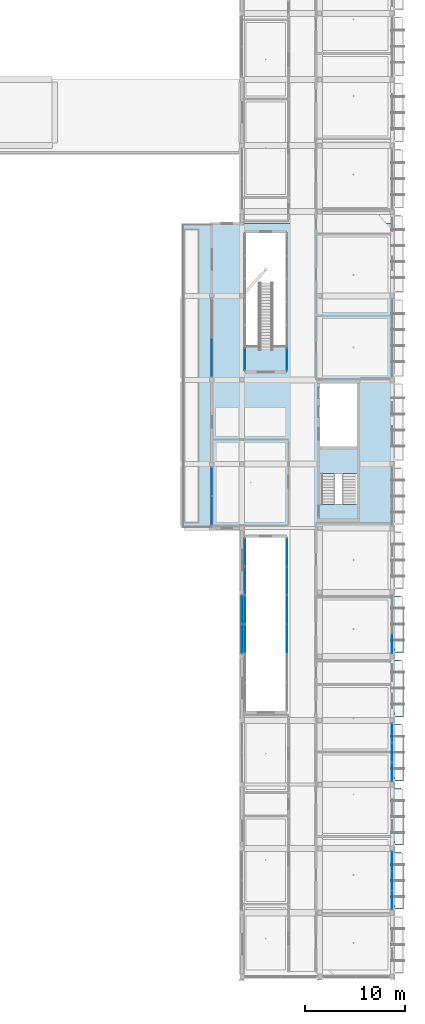
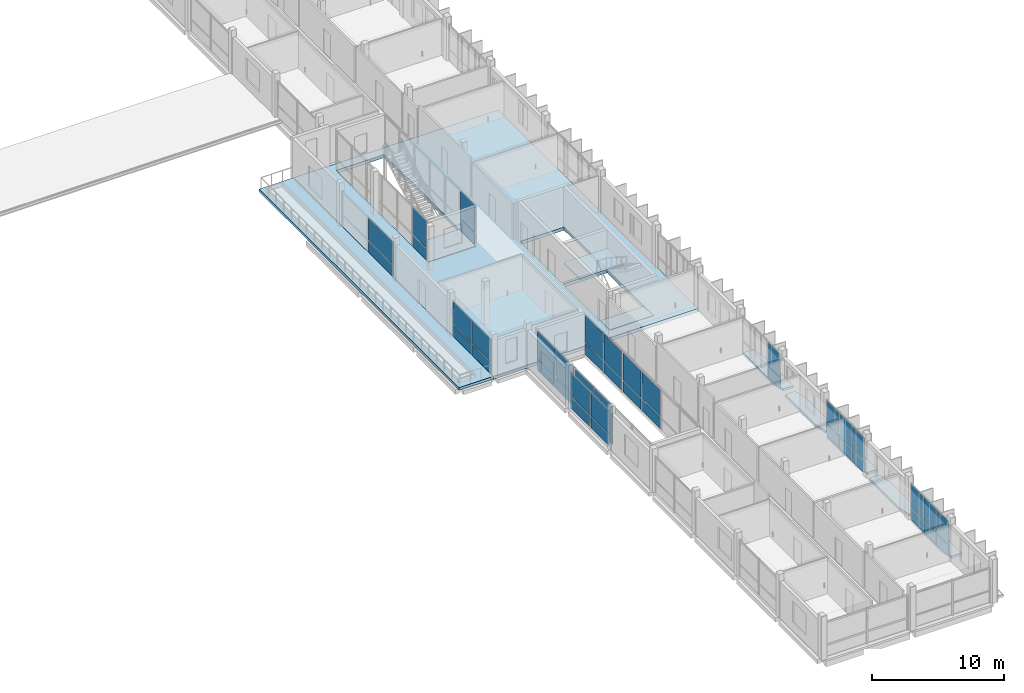
# One storey, part 43 of 86: 44 plates, 10 slabs, 13 elements without a shape of their own.
"""IFC4 building model written with IfcOpenShell, lengths in metres."""

from ifc_helpers import new_model, si_unit, derived_unit, direction, frame, origin, origin_2d, place, context, subcontext, project, spatial, polyline, rectangle, outline, extrude, material, layer, layer_set, type_object, element, aggregate, save


model = new_model("IFC4")

# Units and contexts
model_context = context("Model", 3, precision=1e-05, world=origin(), true_north=direction((0.0, 1.0)))
body_context = subcontext(model_context, "Body", "Model", "MODEL_VIEW")
ifc_project = project(units=[si_unit("LENGTHUNIT", "METRE"), si_unit("AREAUNIT", "SQUARE_METRE"), si_unit("VOLUMEUNIT", "CUBIC_METRE"), si_unit("PLANEANGLEUNIT", "RADIAN"), si_unit("MASSUNIT", "GRAM", prefix="KILO"), derived_unit("THERMALTRANSMITTANCEUNIT", [(si_unit("POWERUNIT", "WATT"), 1), (si_unit("LENGTHUNIT", "METRE"), -2), (si_unit("THERMODYNAMICTEMPERATUREUNIT", "KELVIN"), -1)])], contexts=[model_context])

# Site, building, storey
site_placement = place(None, origin())
site = spatial("IfcSite", under=ifc_project, at=site_placement, CompositionType="ELEMENT")
building_placement = place(site_placement, origin())
building = spatial("IfcBuilding", under=site, at=building_placement, Name="Braskholm Square Health Centre", CompositionType="ELEMENT")
storey_placement = place(building_placement, frame((0.0, 0.0, 13.5)))
storey = spatial("IfcBuildingStorey", under=building, at=storey_placement, Name="L04", CompositionType="ELEMENT", Elevation=13.5)

# Curtain wall, plates
ifc_material_1 = material(Name="Low-E triple insulating glass (VLT 0.64)", Category="glass")
curtain_wall_type_1 = type_object("IfcCurtainWallType", Name="UnitisedCurtainWall6200x3650", PredefinedType="NOTDEFINED", material=ifc_material_1)
curtain_wall_1_placement = place(storey_placement, origin())
curtain_wall_1 = element("IfcCurtainWall", 1, at=curtain_wall_1_placement, inside=storey, type_object=curtain_wall_type_1, Name="East Outer unitised curtain wall CW-L04-0068", PredefinedType="NOTDEFINED")
ifc_material_2 = material(Name="Architectural bronze anodised aluminium", Category="aluminium")
plate_type_1 = type_object("IfcPlateType", Name="CurtainPanelSpandrel1850x1020", PredefinedType="CURTAIN_PANEL", material=ifc_material_2)
plate_1_placement = place(storey_placement, frame((163.800048828125, 11.8466796875, 0.050048828125), z_axis=(0.0, 0.0, 1.0), x_axis=(0.0, 1.0, 0.0)))
plate_1 = element("IfcPlate", 2, at=plate_1_placement, type_object=plate_type_1, Name="CW-L04-0068 spandrel panel 1", PredefinedType="CURTAIN_PANEL", context=body_context, shape_type="SweptSolid", body=[
    extrude(rectangle(XDim=1.836181640625, YDim=0.035888671875, at=origin_2d()), origin(), (0.0, 0.0, 1.0), 1.02001953125),
])
plate_2_placement = place(storey_placement, frame((163.800048828125, 13.800048828125, 0.050048828125), z_axis=(0.0, 0.0, 1.0), x_axis=(0.0, 1.0, 0.0)))
plate_2 = element("IfcPlate", 3, at=plate_2_placement, type_object=plate_type_1, Name="CW-L04-0068 spandrel panel 2", PredefinedType="CURTAIN_PANEL", context=body_context, shape_type="SweptSolid", body=[
    extrude(rectangle(XDim=1.836181640625, YDim=0.035888671875, at=origin_2d()), origin(), (0.0, 0.0, 1.0), 1.02001953125),
])
plate_3_placement = place(storey_placement, frame((163.800048828125, 15.75341796875, 0.050048828125), z_axis=(0.0, 0.0, 1.0), x_axis=(0.0, 1.0, 0.0)))
plate_3 = element("IfcPlate", 4, at=plate_3_placement, type_object=plate_type_1, Name="CW-L04-0068 spandrel panel 3", PredefinedType="CURTAIN_PANEL", context=body_context, shape_type="SweptSolid", body=[
    extrude(rectangle(XDim=1.836181640625, YDim=0.035888671875, at=origin_2d()), origin(), (0.0, 0.0, 1.0), 1.02001953125),
])

curtain_wall_2_placement = place(storey_placement, origin())
curtain_wall_2 = element("IfcCurtainWall", 5, at=curtain_wall_2_placement, inside=storey, type_object=curtain_wall_type_1, Name="East Outer unitised curtain wall CW-L04-0069", PredefinedType="NOTDEFINED")
plate_4_placement = place(storey_placement, frame((163.800048828125, 24.646728515625, 0.050048828125), z_axis=(0.0, 0.0, 1.0), x_axis=(0.0, 1.0, 0.0)))
plate_4 = element("IfcPlate", 6, at=plate_4_placement, type_object=plate_type_1, Name="CW-L04-0069 spandrel panel 1", PredefinedType="CURTAIN_PANEL", context=body_context, shape_type="SweptSolid", body=[
    extrude(rectangle(XDim=1.836181640625, YDim=0.035888671875, at=origin_2d()), origin(), (0.0, 0.0, 1.0), 1.02001953125),
])
plate_5_placement = place(storey_placement, frame((163.800048828125, 26.60009765625, 0.050048828125), z_axis=(0.0, 0.0, 1.0), x_axis=(0.0, 1.0, 0.0)))
plate_5 = element("IfcPlate", 7, at=plate_5_placement, type_object=plate_type_1, Name="CW-L04-0069 spandrel panel 2", PredefinedType="CURTAIN_PANEL", context=body_context, shape_type="SweptSolid", body=[
    extrude(rectangle(XDim=1.836181640625, YDim=0.035888671875, at=origin_2d()), origin(), (0.0, 0.0, 1.0), 1.02001953125),
])
plate_6_placement = place(storey_placement, frame((163.800048828125, 28.55322265625, 0.050048828125), z_axis=(0.0, 0.0, 1.0), x_axis=(0.0, 1.0, 0.0)))
plate_6 = element("IfcPlate", 8, at=plate_6_placement, type_object=plate_type_1, Name="CW-L04-0069 spandrel panel 3", PredefinedType="CURTAIN_PANEL", context=body_context, shape_type="SweptSolid", body=[
    extrude(rectangle(XDim=1.836181640625, YDim=0.035888671875, at=origin_2d()), origin(), (0.0, 0.0, 1.0), 1.02001953125),
])

# Curtain wall, plate
curtain_wall_3_placement = place(storey_placement, origin())
curtain_wall_3 = element("IfcCurtainWall", 9, at=curtain_wall_3_placement, inside=storey, type_object=curtain_wall_type_1, Name="East Outer unitised curtain wall CW-L04-0070", PredefinedType="NOTDEFINED")
plate_7_placement = place(storey_placement, frame((163.800048828125, 37.44677734375, 0.050048828125), z_axis=(0.0, 0.0, 1.0), x_axis=(0.0, 1.0, 0.0)))
plate_7 = element("IfcPlate", 10, at=plate_7_placement, type_object=plate_type_1, Name="CW-L04-0070 spandrel panel 1", PredefinedType="CURTAIN_PANEL", context=body_context, shape_type="SweptSolid", body=[
    extrude(rectangle(XDim=1.836181640625, YDim=0.035888671875, at=origin_2d()), origin(), (0.0, 0.0, 1.0), 1.02001953125),
])

curtain_wall_type_2 = type_object("IfcCurtainWallType", Name="UnitisedCurtainWall4800x3800", PredefinedType="NOTDEFINED", material=ifc_material_1)
curtain_wall_4_placement = place(storey_placement, origin())
curtain_wall_4 = element("IfcCurtainWall", 11, at=curtain_wall_4_placement, inside=storey, type_object=curtain_wall_type_2, Name="EC2 Court W unitised curtain wall CW-L04-0369", PredefinedType="NOTDEFINED")
plate_type_2 = type_object("IfcPlateType", Name="CurtainPanelSpandrel2150x1020", PredefinedType="CURTAIN_PANEL", material=ifc_material_2)
plate_8_placement = place(storey_placement, frame((149.10009765625, 65.884033203125, 0.050048828125), z_axis=(0.0, 0.0, 1.0), x_axis=(0.0, 1.0, 0.0)))
plate_8 = element("IfcPlate", 12, at=plate_8_placement, type_object=plate_type_2, Name="CW-L04-0369 spandrel panel 1", PredefinedType="CURTAIN_PANEL", context=body_context, shape_type="SweptSolid", body=[
    extrude(rectangle(XDim=2.125244140625, YDim=0.035888671875, at=origin_2d()), origin(), (0.0, 0.0, 1.0), 1.02001953125),
])

curtain_wall_5_placement = place(storey_placement, origin())
curtain_wall_5 = element("IfcCurtainWall", 13, at=curtain_wall_5_placement, inside=storey, type_object=curtain_wall_type_2, Name="EC2 Court E unitised curtain wall CW-L04-0370", PredefinedType="NOTDEFINED")
plate_9_placement = place(storey_placement, frame((153.300048828125, 65.884033203125, 0.050048828125), z_axis=(0.0, 0.0, 1.0), x_axis=(0.0, -1.0, 0.0)))
plate_9 = element("IfcPlate", 14, at=plate_9_placement, type_object=plate_type_2, Name="CW-L04-0370 spandrel panel 2", PredefinedType="CURTAIN_PANEL", context=body_context, shape_type="SweptSolid", body=[
    extrude(rectangle(XDim=2.125244140625, YDim=0.035888671875, at=origin_2d()), origin(), (0.0, 0.0, 1.0), 1.02001953125),
])

# Curtain wall, plates
curtain_wall_6_placement = place(storey_placement, origin())
curtain_wall_6 = element("IfcCurtainWall", 15, at=curtain_wall_6_placement, inside=storey, type_object=curtain_wall_type_1, Name="East Valley unitised curtain wall CW-L04-0131", PredefinedType="NOTDEFINED")
plate_type_3 = type_object("IfcPlateType", Name="CurtainPanelSpandrel2750x1020", PredefinedType="CURTAIN_PANEL", material=ifc_material_2)
plate_10_placement = place(storey_placement, frame((148.800048828125, 40.8623046875, 0.050048828125), z_axis=(0.0, 0.0, 1.0), x_axis=(0.0, -1.0, 0.0)))
plate_10 = element("IfcPlate", 16, at=plate_10_placement, type_object=plate_type_3, Name="CW-L04-0131 spandrel panel 1", PredefinedType="CURTAIN_PANEL", context=body_context, shape_type="SweptSolid", body=[
    extrude(rectangle(XDim=2.782470703125, YDim=0.035888671875, at=origin_2d()), origin(), (0.0, 0.0, 1.0), 1.02001953125),
])
plate_11_placement = place(storey_placement, frame((148.800048828125, 37.937744140625, 0.050048828125), z_axis=(0.0, 0.0, 1.0), x_axis=(0.0, -1.0, 0.0)))
plate_11 = element("IfcPlate", 17, at=plate_11_placement, type_object=plate_type_3, Name="CW-L04-0131 spandrel panel 2", PredefinedType="CURTAIN_PANEL", context=body_context, shape_type="SweptSolid", body=[
    extrude(rectangle(XDim=2.782470703125, YDim=0.035888671875, at=origin_2d()), origin(), (0.0, 0.0, 1.0), 1.02001953125),
])

curtain_wall_7_placement = place(storey_placement, origin())
curtain_wall_7 = element("IfcCurtainWall", 18, at=curtain_wall_7_placement, inside=storey, type_object=curtain_wall_type_1, Name="East Valley unitised curtain wall CW-L04-0132", PredefinedType="NOTDEFINED")
plate_12_placement = place(storey_placement, frame((145.800048828125, 53.662109375, 0.050048828125), z_axis=(0.0, 0.0, 1.0), x_axis=(0.0, -1.0, 0.0)))
plate_12 = element("IfcPlate", 19, at=plate_12_placement, type_object=plate_type_3, Name="CW-L04-0132 spandrel panel 1", PredefinedType="CURTAIN_PANEL", context=body_context, shape_type="SweptSolid", body=[
    extrude(rectangle(XDim=2.782470703125, YDim=0.035888671875, at=origin_2d()), origin(), (0.0, 0.0, 1.0), 1.02001953125),
])
plate_13_placement = place(storey_placement, frame((145.800048828125, 50.73779296875, 0.050048828125), z_axis=(0.0, 0.0, 1.0), x_axis=(0.0, -1.0, 0.0)))
plate_13 = element("IfcPlate", 20, at=plate_13_placement, type_object=plate_type_3, Name="CW-L04-0132 spandrel panel 2", PredefinedType="CURTAIN_PANEL", context=body_context, shape_type="SweptSolid", body=[
    extrude(rectangle(XDim=2.782470703125, YDim=0.035888671875, at=origin_2d()), origin(), (0.0, 0.0, 1.0), 1.02001953125),
])

curtain_wall_type_3 = type_object("IfcCurtainWallType", Name="UnitisedCurtainWall6200x3800", PredefinedType="NOTDEFINED", material=ifc_material_1)
curtain_wall_8_placement = place(storey_placement, origin())
curtain_wall_8 = element("IfcCurtainWall", 21, at=curtain_wall_8_placement, inside=storey, type_object=curtain_wall_type_3, Name="EC1 Court W unitised curtain wall CW-L04-0341", PredefinedType="NOTDEFINED")
plate_14_placement = place(storey_placement, frame((149.10009765625, 37.95361328125, 0.050048828125), z_axis=(0.0, 0.0, 1.0), x_axis=(0.0, 1.0, 0.0)))
plate_14 = element("IfcPlate", 22, at=plate_14_placement, type_object=plate_type_3, Name="CW-L04-0341 spandrel panel 1", PredefinedType="CURTAIN_PANEL", context=body_context, shape_type="SweptSolid", body=[
    extrude(rectangle(XDim=2.752197265625, YDim=0.035888671875, at=origin_2d()), origin(), (0.0, 0.0, 1.0), 1.02001953125),
])
plate_15_placement = place(storey_placement, frame((149.10009765625, 40.846435546875, 0.050048828125), z_axis=(0.0, 0.0, 1.0), x_axis=(0.0, 1.0, 0.0)))
plate_15 = element("IfcPlate", 23, at=plate_15_placement, type_object=plate_type_3, Name="CW-L04-0341 spandrel panel 2", PredefinedType="CURTAIN_PANEL", context=body_context, shape_type="SweptSolid", body=[
    extrude(rectangle(XDim=2.752197265625, YDim=0.035888671875, at=origin_2d()), origin(), (0.0, 0.0, 1.0), 1.02001953125),
])

curtain_wall_9_placement = place(storey_placement, origin())
curtain_wall_9 = element("IfcCurtainWall", 24, at=curtain_wall_9_placement, inside=storey, type_object=curtain_wall_type_3, Name="EC1 Court E unitised curtain wall CW-L04-0342", PredefinedType="NOTDEFINED")
plate_16_placement = place(storey_placement, frame((153.300048828125, 40.846435546875, 0.050048828125), z_axis=(0.0, 0.0, 1.0), x_axis=(0.0, -1.0, 0.0)))
plate_16 = element("IfcPlate", 25, at=plate_16_placement, type_object=plate_type_3, Name="CW-L04-0342 spandrel panel 1", PredefinedType="CURTAIN_PANEL", context=body_context, shape_type="SweptSolid", body=[
    extrude(rectangle(XDim=2.752197265625, YDim=0.035888671875, at=origin_2d()), origin(), (0.0, 0.0, 1.0), 1.02001953125),
])
plate_17_placement = place(storey_placement, frame((153.300048828125, 37.95361328125, 0.050048828125), z_axis=(0.0, 0.0, 1.0), x_axis=(0.0, -1.0, 0.0)))
plate_17 = element("IfcPlate", 26, at=plate_17_placement, type_object=plate_type_3, Name="CW-L04-0342 spandrel panel 2", PredefinedType="CURTAIN_PANEL", context=body_context, shape_type="SweptSolid", body=[
    extrude(rectangle(XDim=2.752197265625, YDim=0.035888671875, at=origin_2d()), origin(), (0.0, 0.0, 1.0), 1.02001953125),
])

curtain_wall_type_4 = type_object("IfcCurtainWallType", Name="UnitisedCurtainWall5400x3800", PredefinedType="NOTDEFINED", material=ifc_material_1)
curtain_wall_10_placement = place(storey_placement, origin())
curtain_wall_10 = element("IfcCurtainWall", 27, at=curtain_wall_10_placement, inside=storey, type_object=curtain_wall_type_4, Name="EC1 Court W unitised curtain wall CW-L04-0343", PredefinedType="NOTDEFINED")
plate_18_placement = place(storey_placement, frame((149.10009765625, 43.78564453125, 0.050048828125), z_axis=(0.0, 0.0, 1.0), x_axis=(0.0, 1.0, 0.0)))
plate_18 = element("IfcPlate", 28, at=plate_18_placement, type_object=plate_type_3, Name="CW-L04-0343 spandrel panel 1", PredefinedType="CURTAIN_PANEL", context=body_context, shape_type="SweptSolid", body=[
    extrude(rectangle(XDim=2.689208984375, YDim=0.035888671875, at=origin_2d()), origin(), (0.0, 0.0, 1.0), 1.02001953125),
])
plate_19_placement = place(storey_placement, frame((149.10009765625, 46.6123046875, 0.050048828125), z_axis=(0.0, 0.0, 1.0), x_axis=(0.0, 1.0, 0.0)))
plate_19 = element("IfcPlate", 29, at=plate_19_placement, type_object=plate_type_3, Name="CW-L04-0343 spandrel panel 2", PredefinedType="CURTAIN_PANEL", context=body_context, shape_type="SweptSolid", body=[
    extrude(rectangle(XDim=2.689208984375, YDim=0.035888671875, at=origin_2d()), origin(), (0.0, 0.0, 1.0), 1.02001953125),
])

curtain_wall_11_placement = place(storey_placement, origin())
curtain_wall_11 = element("IfcCurtainWall", 30, at=curtain_wall_11_placement, inside=storey, type_object=curtain_wall_type_4, Name="EC1 Court E unitised curtain wall CW-L04-0344", PredefinedType="NOTDEFINED")
plate_20_placement = place(storey_placement, frame((153.300048828125, 46.6123046875, 0.050048828125), z_axis=(0.0, 0.0, 1.0), x_axis=(0.0, -1.0, 0.0)))
plate_20 = element("IfcPlate", 31, at=plate_20_placement, type_object=plate_type_3, Name="CW-L04-0344 spandrel panel 1", PredefinedType="CURTAIN_PANEL", context=body_context, shape_type="SweptSolid", body=[
    extrude(rectangle(XDim=2.689208984375, YDim=0.035888671875, at=origin_2d()), origin(), (0.0, 0.0, 1.0), 1.02001953125),
])
plate_21_placement = place(storey_placement, frame((153.300048828125, 43.78564453125, 0.050048828125), z_axis=(0.0, 0.0, 1.0), x_axis=(0.0, -1.0, 0.0)))
plate_21 = element("IfcPlate", 32, at=plate_21_placement, type_object=plate_type_3, Name="CW-L04-0344 spandrel panel 2", PredefinedType="CURTAIN_PANEL", context=body_context, shape_type="SweptSolid", body=[
    extrude(rectangle(XDim=2.689208984375, YDim=0.035888671875, at=origin_2d()), origin(), (0.0, 0.0, 1.0), 1.02001953125),
])

# Curtain wall, plate
curtain_wall_12_placement = place(storey_placement, origin())
curtain_wall_12 = element("IfcCurtainWall", 33, at=curtain_wall_12_placement, inside=storey, type_object=curtain_wall_type_1, Name="East Valley unitised curtain wall CW-L04-0133", PredefinedType="NOTDEFINED")
plate_type_4 = type_object("IfcPlateType", Name="CurtainPanelSpandrel3150x1020", PredefinedType="CURTAIN_PANEL", material=ifc_material_2)
plate_22_placement = place(storey_placement, frame((145.800048828125, 66.043701171875, 0.050048828125), z_axis=(0.0, 0.0, 1.0), x_axis=(0.0, -1.0, 0.0)))
plate_22 = element("IfcPlate", 34, at=plate_22_placement, type_object=plate_type_4, Name="CW-L04-0133 spandrel panel 2", PredefinedType="CURTAIN_PANEL", context=body_context, shape_type="SweptSolid", body=[
    extrude(rectangle(XDim=3.722412109375, YDim=0.035888671875, at=origin_2d()), origin(), (0.0, 0.0, 1.0), 1.02001953125),
])

# Plate
plate_type_5 = type_object("IfcPlateType", Name="CurtainPanelVision1850x2120", PredefinedType="CURTAIN_PANEL", material=ifc_material_1)
plate_23_placement = place(storey_placement, frame((163.800048828125, 11.8466796875, 1.169921875), z_axis=(0.0, 0.0, 1.0), x_axis=(0.0, 1.0, 0.0)))
plate_23 = element("IfcPlate", 35, at=plate_23_placement, type_object=plate_type_5, Name="CW-L04-0068 vision glass panel 1", PredefinedType="CURTAIN_PANEL", context=body_context, shape_type="SweptSolid", body=[
    extrude(rectangle(XDim=1.836181640625, YDim=0.035888671875, at=origin_2d()), origin(), (0.0, 0.0, 1.0), 2.139892578125),
])

plate_24_placement = place(storey_placement, frame((163.800048828125, 13.800048828125, 1.169921875), z_axis=(0.0, 0.0, 1.0), x_axis=(0.0, 1.0, 0.0)))
plate_24 = element("IfcPlate", 36, at=plate_24_placement, type_object=plate_type_5, Name="CW-L04-0068 vision glass panel 2", PredefinedType="CURTAIN_PANEL", context=body_context, shape_type="SweptSolid", body=[
    extrude(rectangle(XDim=1.836181640625, YDim=0.035888671875, at=origin_2d()), origin(), (0.0, 0.0, 1.0), 2.139892578125),
])

plate_25_placement = place(storey_placement, frame((163.800048828125, 15.75341796875, 1.169921875), z_axis=(0.0, 0.0, 1.0), x_axis=(0.0, 1.0, 0.0)))
plate_25 = element("IfcPlate", 37, at=plate_25_placement, type_object=plate_type_5, Name="CW-L04-0068 vision glass panel 3", PredefinedType="CURTAIN_PANEL", context=body_context, shape_type="SweptSolid", body=[
    extrude(rectangle(XDim=1.836181640625, YDim=0.035888671875, at=origin_2d()), origin(), (0.0, 0.0, 1.0), 2.139892578125),
])

aggregate(curtain_wall_1, [plate_1, plate_23, plate_2, plate_24, plate_3, plate_25])

plate_26_placement = place(storey_placement, frame((163.800048828125, 24.646728515625, 1.169921875), z_axis=(0.0, 0.0, 1.0), x_axis=(0.0, 1.0, 0.0)))
plate_26 = element("IfcPlate", 38, at=plate_26_placement, type_object=plate_type_5, Name="CW-L04-0069 vision glass panel 1", PredefinedType="CURTAIN_PANEL", context=body_context, shape_type="SweptSolid", body=[
    extrude(rectangle(XDim=1.836181640625, YDim=0.035888671875, at=origin_2d()), origin(), (0.0, 0.0, 1.0), 2.139892578125),
])

plate_27_placement = place(storey_placement, frame((163.800048828125, 26.60009765625, 1.169921875), z_axis=(0.0, 0.0, 1.0), x_axis=(0.0, 1.0, 0.0)))
plate_27 = element("IfcPlate", 39, at=plate_27_placement, type_object=plate_type_5, Name="CW-L04-0069 vision glass panel 2", PredefinedType="CURTAIN_PANEL", context=body_context, shape_type="SweptSolid", body=[
    extrude(rectangle(XDim=1.836181640625, YDim=0.035888671875, at=origin_2d()), origin(), (0.0, 0.0, 1.0), 2.139892578125),
])

plate_28_placement = place(storey_placement, frame((163.800048828125, 28.55322265625, 1.169921875), z_axis=(0.0, 0.0, 1.0), x_axis=(0.0, 1.0, 0.0)))
plate_28 = element("IfcPlate", 40, at=plate_28_placement, type_object=plate_type_5, Name="CW-L04-0069 vision glass panel 3", PredefinedType="CURTAIN_PANEL", context=body_context, shape_type="SweptSolid", body=[
    extrude(rectangle(XDim=1.836181640625, YDim=0.035888671875, at=origin_2d()), origin(), (0.0, 0.0, 1.0), 2.139892578125),
])

aggregate(curtain_wall_2, [plate_4, plate_26, plate_5, plate_27, plate_6, plate_28])

plate_29_placement = place(storey_placement, frame((163.800048828125, 37.44677734375, 1.169921875), z_axis=(0.0, 0.0, 1.0), x_axis=(0.0, 1.0, 0.0)))
plate_29 = element("IfcPlate", 41, at=plate_29_placement, type_object=plate_type_5, Name="CW-L04-0070 vision glass panel 1", PredefinedType="CURTAIN_PANEL", context=body_context, shape_type="SweptSolid", body=[
    extrude(rectangle(XDim=1.836181640625, YDim=0.035888671875, at=origin_2d()), origin(), (0.0, 0.0, 1.0), 2.139892578125),
])

aggregate(curtain_wall_3, [plate_7, plate_29])

plate_type_6 = type_object("IfcPlateType", Name="CurtainPanelVision2150x2520", PredefinedType="CURTAIN_PANEL", material=ifc_material_1)
plate_30_placement = place(storey_placement, frame((149.10009765625, 65.884033203125, 1.169921875), z_axis=(0.0, 0.0, 1.0), x_axis=(0.0, 1.0, 0.0)))
plate_30 = element("IfcPlate", 42, at=plate_30_placement, type_object=plate_type_6, Name="CW-L04-0369 vision glass panel 1", PredefinedType="CURTAIN_PANEL", context=body_context, shape_type="SweptSolid", body=[
    extrude(rectangle(XDim=2.125244140625, YDim=0.035888671875, at=origin_2d()), origin(), (0.0, 0.0, 1.0), 2.489990234375),
])

aggregate(curtain_wall_4, [plate_8, plate_30])

plate_31_placement = place(storey_placement, frame((153.300048828125, 65.884033203125, 1.169921875), z_axis=(0.0, 0.0, 1.0), x_axis=(0.0, -1.0, 0.0)))
plate_31 = element("IfcPlate", 43, at=plate_31_placement, type_object=plate_type_6, Name="CW-L04-0370 vision glass panel 2", PredefinedType="CURTAIN_PANEL", context=body_context, shape_type="SweptSolid", body=[
    extrude(rectangle(XDim=2.125244140625, YDim=0.035888671875, at=origin_2d()), origin(), (0.0, 0.0, 1.0), 2.489990234375),
])

aggregate(curtain_wall_5, [plate_9, plate_31])

plate_type_7 = type_object("IfcPlateType", Name="CurtainPanelVision2750x2120", PredefinedType="CURTAIN_PANEL", material=ifc_material_1)
plate_32_placement = place(storey_placement, frame((148.800048828125, 40.8623046875, 1.169921875), z_axis=(0.0, 0.0, 1.0), x_axis=(0.0, -1.0, 0.0)))
plate_32 = element("IfcPlate", 44, at=plate_32_placement, type_object=plate_type_7, Name="CW-L04-0131 vision glass panel 1", PredefinedType="CURTAIN_PANEL", context=body_context, shape_type="SweptSolid", body=[
    extrude(rectangle(XDim=2.782470703125, YDim=0.035888671875, at=origin_2d()), origin(), (0.0, 0.0, 1.0), 2.110107421875),
])

plate_33_placement = place(storey_placement, frame((148.800048828125, 37.937744140625, 1.169921875), z_axis=(0.0, 0.0, 1.0), x_axis=(0.0, -1.0, 0.0)))
plate_33 = element("IfcPlate", 45, at=plate_33_placement, type_object=plate_type_7, Name="CW-L04-0131 vision glass panel 2", PredefinedType="CURTAIN_PANEL", context=body_context, shape_type="SweptSolid", body=[
    extrude(rectangle(XDim=2.782470703125, YDim=0.035888671875, at=origin_2d()), origin(), (0.0, 0.0, 1.0), 2.110107421875),
])

aggregate(curtain_wall_6, [plate_10, plate_32, plate_11, plate_33])

plate_34_placement = place(storey_placement, frame((145.800048828125, 53.662109375, 1.169921875), z_axis=(0.0, 0.0, 1.0), x_axis=(0.0, -1.0, 0.0)))
plate_34 = element("IfcPlate", 46, at=plate_34_placement, type_object=plate_type_7, Name="CW-L04-0132 vision glass panel 1", PredefinedType="CURTAIN_PANEL", context=body_context, shape_type="SweptSolid", body=[
    extrude(rectangle(XDim=2.782470703125, YDim=0.035888671875, at=origin_2d()), origin(), (0.0, 0.0, 1.0), 2.06005859375),
])

plate_35_placement = place(storey_placement, frame((145.800048828125, 50.73779296875, 1.169921875), z_axis=(0.0, 0.0, 1.0), x_axis=(0.0, -1.0, 0.0)))
plate_35 = element("IfcPlate", 47, at=plate_35_placement, type_object=plate_type_7, Name="CW-L04-0132 vision glass panel 2", PredefinedType="CURTAIN_PANEL", context=body_context, shape_type="SweptSolid", body=[
    extrude(rectangle(XDim=2.782470703125, YDim=0.035888671875, at=origin_2d()), origin(), (0.0, 0.0, 1.0), 2.06005859375),
])

aggregate(curtain_wall_7, [plate_12, plate_34, plate_13, plate_35])

plate_type_8 = type_object("IfcPlateType", Name="CurtainPanelVision2750x2520", PredefinedType="CURTAIN_PANEL", material=ifc_material_1)
plate_36_placement = place(storey_placement, frame((149.10009765625, 37.95361328125, 1.169921875), z_axis=(0.0, 0.0, 1.0), x_axis=(0.0, 1.0, 0.0)))
plate_36 = element("IfcPlate", 48, at=plate_36_placement, type_object=plate_type_8, Name="CW-L04-0341 vision glass panel 1", PredefinedType="CURTAIN_PANEL", context=body_context, shape_type="SweptSolid", body=[
    extrude(rectangle(XDim=2.752197265625, YDim=0.035888671875, at=origin_2d()), origin(), (0.0, 0.0, 1.0), 2.489990234375),
])

plate_37_placement = place(storey_placement, frame((149.10009765625, 40.846435546875, 1.169921875), z_axis=(0.0, 0.0, 1.0), x_axis=(0.0, 1.0, 0.0)))
plate_37 = element("IfcPlate", 49, at=plate_37_placement, type_object=plate_type_8, Name="CW-L04-0341 vision glass panel 2", PredefinedType="CURTAIN_PANEL", context=body_context, shape_type="SweptSolid", body=[
    extrude(rectangle(XDim=2.752197265625, YDim=0.035888671875, at=origin_2d()), origin(), (0.0, 0.0, 1.0), 2.489990234375),
])

aggregate(curtain_wall_8, [plate_14, plate_36, plate_15, plate_37])

plate_38_placement = place(storey_placement, frame((153.300048828125, 40.846435546875, 1.169921875), z_axis=(0.0, 0.0, 1.0), x_axis=(0.0, -1.0, 0.0)))
plate_38 = element("IfcPlate", 50, at=plate_38_placement, type_object=plate_type_8, Name="CW-L04-0342 vision glass panel 1", PredefinedType="CURTAIN_PANEL", context=body_context, shape_type="SweptSolid", body=[
    extrude(rectangle(XDim=2.752197265625, YDim=0.035888671875, at=origin_2d()), origin(), (0.0, 0.0, 1.0), 2.489990234375),
])

plate_39_placement = place(storey_placement, frame((153.300048828125, 37.95361328125, 1.169921875), z_axis=(0.0, 0.0, 1.0), x_axis=(0.0, -1.0, 0.0)))
plate_39 = element("IfcPlate", 51, at=plate_39_placement, type_object=plate_type_8, Name="CW-L04-0342 vision glass panel 2", PredefinedType="CURTAIN_PANEL", context=body_context, shape_type="SweptSolid", body=[
    extrude(rectangle(XDim=2.752197265625, YDim=0.035888671875, at=origin_2d()), origin(), (0.0, 0.0, 1.0), 2.489990234375),
])

aggregate(curtain_wall_9, [plate_16, plate_38, plate_17, plate_39])

plate_40_placement = place(storey_placement, frame((149.10009765625, 43.78564453125, 1.169921875), z_axis=(0.0, 0.0, 1.0), x_axis=(0.0, 1.0, 0.0)))
plate_40 = element("IfcPlate", 52, at=plate_40_placement, type_object=plate_type_8, Name="CW-L04-0343 vision glass panel 1", PredefinedType="CURTAIN_PANEL", context=body_context, shape_type="SweptSolid", body=[
    extrude(rectangle(XDim=2.689208984375, YDim=0.035888671875, at=origin_2d()), origin(), (0.0, 0.0, 1.0), 2.489990234375),
])

plate_41_placement = place(storey_placement, frame((149.10009765625, 46.6123046875, 1.169921875), z_axis=(0.0, 0.0, 1.0), x_axis=(0.0, 1.0, 0.0)))
plate_41 = element("IfcPlate", 53, at=plate_41_placement, type_object=plate_type_8, Name="CW-L04-0343 vision glass panel 2", PredefinedType="CURTAIN_PANEL", context=body_context, shape_type="SweptSolid", body=[
    extrude(rectangle(XDim=2.689208984375, YDim=0.035888671875, at=origin_2d()), origin(), (0.0, 0.0, 1.0), 2.489990234375),
])

aggregate(curtain_wall_10, [plate_18, plate_40, plate_19, plate_41])

plate_42_placement = place(storey_placement, frame((153.300048828125, 46.6123046875, 1.169921875), z_axis=(0.0, 0.0, 1.0), x_axis=(0.0, -1.0, 0.0)))
plate_42 = element("IfcPlate", 54, at=plate_42_placement, type_object=plate_type_8, Name="CW-L04-0344 vision glass panel 1", PredefinedType="CURTAIN_PANEL", context=body_context, shape_type="SweptSolid", body=[
    extrude(rectangle(XDim=2.689208984375, YDim=0.035888671875, at=origin_2d()), origin(), (0.0, 0.0, 1.0), 2.489990234375),
])

plate_43_placement = place(storey_placement, frame((153.300048828125, 43.78564453125, 1.169921875), z_axis=(0.0, 0.0, 1.0), x_axis=(0.0, -1.0, 0.0)))
plate_43 = element("IfcPlate", 55, at=plate_43_placement, type_object=plate_type_8, Name="CW-L04-0344 vision glass panel 2", PredefinedType="CURTAIN_PANEL", context=body_context, shape_type="SweptSolid", body=[
    extrude(rectangle(XDim=2.689208984375, YDim=0.035888671875, at=origin_2d()), origin(), (0.0, 0.0, 1.0), 2.489990234375),
])

aggregate(curtain_wall_11, [plate_20, plate_42, plate_21, plate_43])

plate_type_9 = type_object("IfcPlateType", Name="CurtainPanelVision3150x2120", PredefinedType="CURTAIN_PANEL", material=ifc_material_1)
plate_44_placement = place(storey_placement, frame((145.800048828125, 66.043701171875, 1.169921875), z_axis=(0.0, 0.0, 1.0), x_axis=(0.0, -1.0, 0.0)))
plate_44 = element("IfcPlate", 56, at=plate_44_placement, type_object=plate_type_9, Name="CW-L04-0133 vision glass panel 2", PredefinedType="CURTAIN_PANEL", context=body_context, shape_type="SweptSolid", body=[
    extrude(rectangle(XDim=3.722412109375, YDim=0.035888671875, at=origin_2d()), origin(), (0.0, 0.0, 1.0), 2.06005859375),
])

aggregate(curtain_wall_12, [plate_22, plate_44])

# Slabs
ifc_material_3 = material(Name="Precast concrete C40/50 architectural white", Category="concrete")
ifc_layer_1 = layer(ifc_material_3, 0.2099609375)
ifc_layer_set_1 = layer_set([ifc_layer_1], Name="Precast concrete C40/50 architectural white")
slab_type_1 = type_object("IfcSlabType", Name="PitchedAndCrownRoofSlab150", PredefinedType="ROOF", material=ifc_layer_set_1)
slab_1_placement = place(storey_placement, frame((0.0, 0.0, -0.2099609375)))
element("IfcSlab", 57, at=slab_1_placement, inside=storey, type_object=slab_type_1, Name="Level L04 East precast planter ledge 098", PredefinedType="ROOF", context=body_context, shape_type="SweptSolid", body=[
    extrude(outline(polyline([(164.052978515625, 10.949951171875), (164.949951171875, 10.949951171875), (164.949951171875, 15.39599609375), (164.697021484375, 16.64990234375), (163.800048828125, 16.64990234375), (163.800048828125, 12.2041015625), (164.052978515625, 10.949951171875)])), origin(), (0.0, 0.0, 1.0), 0.2099609375),
])
slab_2_placement = place(storey_placement, frame((0.0, 0.0, -0.2099609375)))
element("IfcSlab", 58, at=slab_2_placement, inside=storey, type_object=slab_type_1, Name="Level L04 East precast planter ledge 099", PredefinedType="ROOF", context=body_context, shape_type="SweptSolid", body=[
    extrude(outline(polyline([(164.052978515625, 17.35009765625), (164.949951171875, 17.35009765625), (164.949951171875, 21.7958984375), (164.697021484375, 23.050048828125), (163.800048828125, 23.050048828125), (163.800048828125, 18.60400390625), (164.052978515625, 17.35009765625)])), origin(), (0.0, 0.0, 1.0), 0.2099609375),
])
slab_3_placement = place(storey_placement, frame((0.0, 0.0, -0.2099609375)))
element("IfcSlab", 59, at=slab_3_placement, inside=storey, type_object=slab_type_1, Name="Level L04 East precast planter ledge 100", PredefinedType="ROOF", context=body_context, shape_type="SweptSolid", body=[
    extrude(outline(polyline([(164.052978515625, 23.75), (164.949951171875, 23.75), (164.949951171875, 28.196044921875), (164.697021484375, 29.449951171875), (163.800048828125, 29.449951171875), (163.800048828125, 25.00390625), (164.052978515625, 23.75)])), origin(), (0.0, 0.0, 1.0), 0.2099609375),
])
slab_4_placement = place(storey_placement, frame((0.0, 0.0, -0.2099609375)))
element("IfcSlab", 60, at=slab_4_placement, inside=storey, type_object=slab_type_1, Name="Level L04 East precast planter ledge 101", PredefinedType="ROOF", context=body_context, shape_type="SweptSolid", body=[
    extrude(outline(polyline([(164.052978515625, 30.14990234375), (164.949951171875, 30.14990234375), (164.949951171875, 34.595947265625), (164.697021484375, 35.85009765625), (163.800048828125, 35.85009765625), (163.800048828125, 31.404052734375), (164.052978515625, 30.14990234375)])), origin(), (0.0, 0.0, 1.0), 0.2099609375),
])
slab_5_placement = place(storey_placement, frame((0.0, 0.0, -0.2099609375)))
element("IfcSlab", 61, at=slab_5_placement, inside=storey, type_object=slab_type_1, Name="Level L04 East precast planter ledge 102", PredefinedType="ROOF", context=body_context, shape_type="SweptSolid", body=[
    extrude(outline(polyline([(164.052978515625, 36.550048828125), (164.949951171875, 36.550048828125), (164.949951171875, 40.99609375), (164.697021484375, 42.25), (163.800048828125, 42.25), (163.800048828125, 37.803955078125), (164.052978515625, 36.550048828125)])), origin(), (0.0, 0.0, 1.0), 0.2099609375),
])
ifc_material_4 = material(Name="Concrete C35/45 (f'c = 35 MPa)", Category="concrete")
ifc_layer_2 = layer(ifc_material_4, 0.25)
ifc_layer_set_2 = layer_set([ifc_layer_2], Name="Concrete C35/45 (f'c = 35 MPa)")
slab_type_2 = type_object("IfcSlabType", Name="PlantedTerraceRoofSlab250", PredefinedType="ROOF", material=ifc_layer_set_2)
slab_6_placement = place(storey_placement, frame((0.0, 0.0, -0.25)))
element("IfcSlab", 62, at=slab_6_placement, inside=storey, type_object=slab_type_2, Name="Level L04 East Green Valley Step 2 planted therapy terrace slab", PredefinedType="ROOF", context=body_context, shape_type="SweptSolid", body=[
    extrude(outline(polyline([(142.800048828125, 49.0), (145.800048828125, 49.0), (145.800048828125, 79.39990234375), (142.800048828125, 79.39990234375), (142.800048828125, 49.0)])), origin(), (0.0, 0.0, 1.0), 0.25),
])

# Stair, slabs
stair_type = type_object("IfcStairType", Name="ExitReturnStairL04", PredefinedType="HALF_TURN_STAIR", material=ifc_material_4)
stair_placement = place(storey_placement, origin())
stair = element("IfcStair", 63, at=stair_placement, inside=storey, type_object=stair_type, Name="Enclosed exit stair ST-04 L04 to L05", PredefinedType="HALF_TURN_STAIR")
ifc_layer_3 = layer(ifc_material_4, 0.179931640625)
ifc_layer_set_3 = layer_set([ifc_layer_3], Name="Concrete C35/45 (f'c = 35 MPa)")
slab_type_3 = type_object("IfcSlabType", Name="StairLandingSlab180", PredefinedType="LANDING", material=ifc_layer_set_3)
slab_7_placement = place(storey_placement, frame((0.0, 0.0, 1.844970703125)))
slab_7 = element("IfcSlab", 64, at=slab_7_placement, type_object=slab_type_3, Name="Stair ST-04 half-landing L04", PredefinedType="LANDING", context=body_context, shape_type="SweptSolid", body=[
    extrude(outline(polyline([(156.550048828125, 54.43994140625), (160.35009765625, 54.43994140625), (160.35009765625, 56.89990234375), (156.550048828125, 56.89990234375), (156.550048828125, 54.43994140625)])), origin(), (0.0, 0.0, 1.0), 0.179931640625),
])
slab_8_placement = place(storey_placement, frame((0.0, 0.0, -0.179931640625)))
slab_8 = element("IfcSlab", 65, at=slab_8_placement, type_object=slab_type_3, Name="Stair ST-04 floor landing L04", PredefinedType="LANDING", context=body_context, shape_type="SweptSolid", body=[
    extrude(outline(polyline([(156.550048828125, 49.89990234375), (160.35009765625, 49.89990234375), (160.35009765625, 51.360107421875), (156.550048828125, 51.360107421875), (156.550048828125, 49.89990234375)])), origin(), (0.0, 0.0, 1.0), 0.179931640625),
])
aggregate(stair, [slab_7, slab_8])

# Slabs
slab_9_placement = place(storey_placement, frame((0.0, 0.0, -0.179931640625)))
element("IfcSlab", 66, at=slab_9_placement, inside=storey, type_object=slab_type_3, Name="Atrium feature stair landing SLAB-BASE-COURT-E2", PredefinedType="LANDING", context=body_context, shape_type="SweptSolid", body=[
    extrude(outline(polyline([(149.10009765625, 64.60009765625), (153.300048828125, 64.60009765625), (153.300048828125, 67.199951171875), (149.10009765625, 67.199951171875), (149.10009765625, 64.60009765625)])), origin(), (0.0, 0.0, 1.0), 0.179931640625),
])
ifc_layer_4 = layer(ifc_material_4, 0.300048828125)
ifc_layer_set_4 = layer_set([ifc_layer_4], Name="Concrete C35/45 (f'c = 35 MPa)")
slab_type_4 = type_object("IfcSlabType", Name="TwoWayClinicalFlatSlab300", PredefinedType="FLOOR", material=ifc_layer_set_4)
slab_10_placement = place(storey_placement, frame((0.0, 0.0, -0.300048828125)))
element("IfcSlab", 67, at=slab_10_placement, inside=storey, type_object=slab_type_4, Name="Level L04 V4E East consulting wing slab", PredefinedType="FLOOR", context=body_context, shape_type="SweptSolid", body=[
    extrude(outline(polyline([(145.800048828125, 49.0), (163.800048828125, 49.0), (163.800048828125, 79.39990234375), (145.800048828125, 79.39990234375), (145.800048828125, 49.0)]), holes=[polyline([(156.530029296875, 49.8798828125), (160.3701171875, 49.8798828125), (160.3701171875, 56.919921875), (156.530029296875, 56.919921875), (156.530029296875, 49.8798828125)]), polyline([(156.530029296875, 57.14990234375), (160.3701171875, 57.14990234375), (160.3701171875, 63.449951171875), (156.530029296875, 63.449951171875), (156.530029296875, 57.14990234375)]), polyline([(149.10009765625, 64.60009765625), (153.300048828125, 64.60009765625), (153.300048828125, 78.60009765625), (149.10009765625, 78.60009765625), (149.10009765625, 64.60009765625)])]), origin(), (0.0, 0.0, 1.0), 0.300048828125),
])

save(model, "model.ifc")
